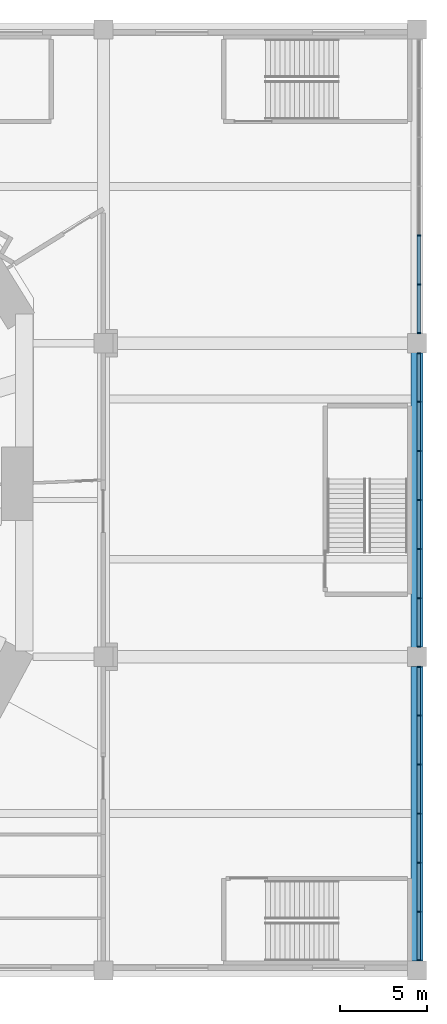
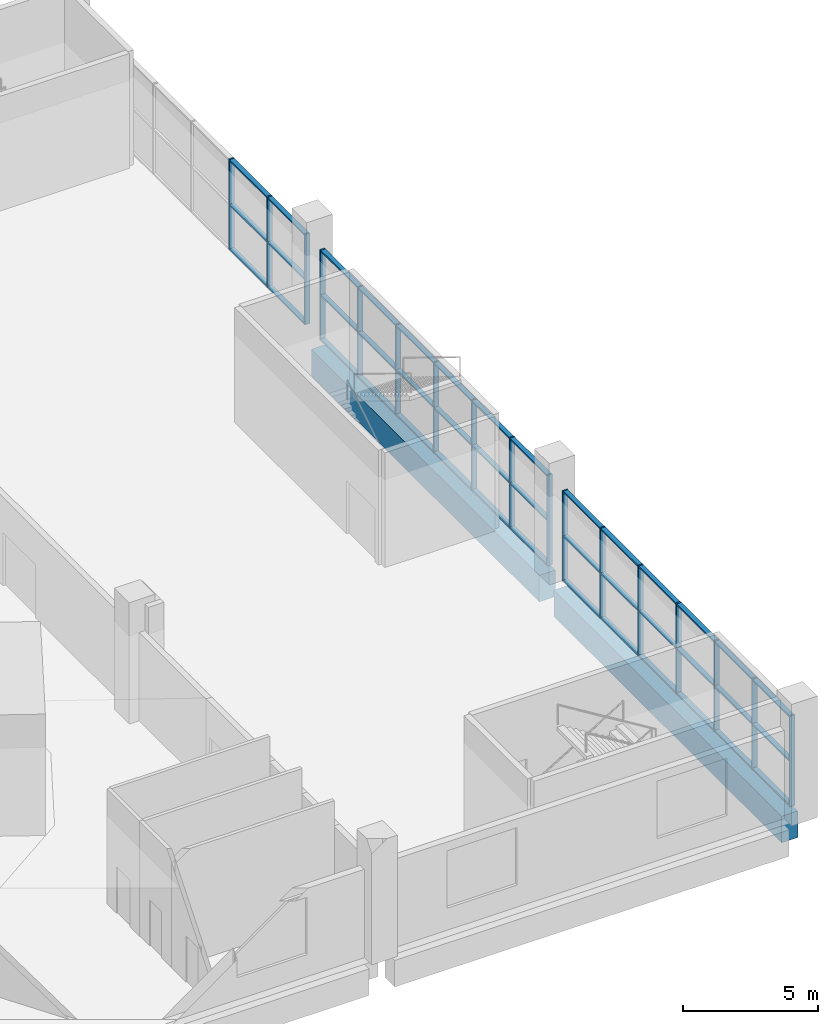
# One storey, part 2 of 16: 59 members, 2 beams, 3 elements without a shape of their own.
"""IFC4 building model written with IfcOpenShell, lengths in metres."""

from ifc_helpers import new_model, si_unit, direction, frame, origin, origin_2d, place, context, subcontext, project, spatial, rectangle, extrude, material, material_profile, profile_set, type_object, element, aggregate, save


model = new_model("IFC4")

# Units and contexts
model_context = context("Model", 3, precision=1e-05, world=origin(), true_north=direction((0.0, 1.0)))
body_context = subcontext(model_context, "Body", "Model", "MODEL_VIEW")
ifc_project = project(units=[si_unit("LENGTHUNIT", "METRE"), si_unit("AREAUNIT", "SQUARE_METRE"), si_unit("VOLUMEUNIT", "CUBIC_METRE"), si_unit("PLANEANGLEUNIT", "RADIAN"), si_unit("MASSUNIT", "GRAM", prefix="KILO")], contexts=[model_context])

# Site, building, storey
site_placement = place(None, origin())
site = spatial("IfcSite", under=ifc_project, at=site_placement, CompositionType="ELEMENT")
building_placement = place(site_placement, origin())
building = spatial("IfcBuilding", under=site, at=building_placement, Name="Vanh Sen Convention Tower", CompositionType="ELEMENT")
storey_placement = place(building_placement, frame((0.0, 0.0, 7.5)))
storey = spatial("IfcBuildingStorey", under=building, at=storey_placement, Name="L01", CompositionType="ELEMENT", Elevation=7.5)

# Curtain wall, members
ifc_material_1 = material(Name="Aluminium structural glazing system", Category="aluminium")
curtain_wall_type = type_object("IfcCurtainWallType", Name="Podium hall structural glazing", PredefinedType="NOTDEFINED", material=ifc_material_1)
curtain_wall_1_placement = place(storey_placement, origin())
curtain_wall_1 = element("IfcCurtainWall", 1, at=curtain_wall_1_placement, inside=storey, type_object=curtain_wall_type, Name="Podium hall glazing 1 L01", PredefinedType="NOTDEFINED")
ifc_material_2 = material(Name="Aluminium mullion", Category="aluminium")
ifc_material_profile_1 = material_profile(ifc_material_2, rectangle(XDim=0.219970703125, YDim=0.070068359375, at=origin_2d()), Name="Hall glazing mullion 70 x 220")
ifc_profile_set_1 = profile_set([ifc_material_profile_1], Name="Aluminium mullion")
member_type_1 = type_object("IfcMemberType", Name="Hall glazing mullion 70 x 220", PredefinedType="MULLION", material=ifc_profile_set_1)
member_1_placement = place(storey_placement, frame((45.110107421875, -26.4150390625, 0.0), z_axis=(0.0, 0.0, 1.0), x_axis=(-1.0, 0.0, 0.0)))
member_1 = element("IfcMember", 2, at=member_1_placement, type_object=member_type_1, Name="CW4 mullion 1", PredefinedType="MULLION", context=body_context, shape_type="SweptSolid", body=[
    extrude(rectangle(XDim=0.219970703125, YDim=0.070068359375, at=origin_2d()), origin(), (0.0, 0.0, 1.0), 4.10009765625),
])
member_2_placement = place(storey_placement, frame((45.110107421875, -23.63330078125, 0.0), z_axis=(0.0, 0.0, 1.0), x_axis=(-1.0, 0.0, 0.0)))
member_2 = element("IfcMember", 3, at=member_2_placement, type_object=member_type_1, Name="CW4 mullion 2", PredefinedType="MULLION", context=body_context, shape_type="SweptSolid", body=[
    extrude(rectangle(XDim=0.219970703125, YDim=0.070068359375, at=origin_2d()), origin(), (0.0, 0.0, 1.0), 4.10009765625),
])
member_3_placement = place(storey_placement, frame((45.110107421875, -20.816650390625, 0.0), z_axis=(0.0, 0.0, 1.0), x_axis=(-1.0, 0.0, 0.0)))
member_3 = element("IfcMember", 4, at=member_3_placement, type_object=member_type_1, Name="CW4 mullion 3", PredefinedType="MULLION", context=body_context, shape_type="SweptSolid", body=[
    extrude(rectangle(XDim=0.219970703125, YDim=0.070068359375, at=origin_2d()), origin(), (0.0, 0.0, 1.0), 4.10009765625),
])
member_4_placement = place(storey_placement, frame((45.110107421875, -18.0, 0.0), z_axis=(0.0, 0.0, 1.0), x_axis=(-1.0, 0.0, 0.0)))
member_4 = element("IfcMember", 5, at=member_4_placement, type_object=member_type_1, Name="CW4 mullion 4", PredefinedType="MULLION", context=body_context, shape_type="SweptSolid", body=[
    extrude(rectangle(XDim=0.219970703125, YDim=0.070068359375, at=origin_2d()), origin(), (0.0, 0.0, 1.0), 4.10009765625),
])
member_5_placement = place(storey_placement, frame((45.110107421875, -15.183349609375, 0.0), z_axis=(0.0, 0.0, 1.0), x_axis=(-1.0, 0.0, 0.0)))
member_5 = element("IfcMember", 6, at=member_5_placement, type_object=member_type_1, Name="CW4 mullion 5", PredefinedType="MULLION", context=body_context, shape_type="SweptSolid", body=[
    extrude(rectangle(XDim=0.219970703125, YDim=0.070068359375, at=origin_2d()), origin(), (0.0, 0.0, 1.0), 4.10009765625),
])
member_6_placement = place(storey_placement, frame((45.110107421875, -12.36669921875, 0.0), z_axis=(0.0, 0.0, 1.0), x_axis=(-1.0, 0.0, 0.0)))
member_6 = element("IfcMember", 7, at=member_6_placement, type_object=member_type_1, Name="CW4 mullion 6", PredefinedType="MULLION", context=body_context, shape_type="SweptSolid", body=[
    extrude(rectangle(XDim=0.219970703125, YDim=0.070068359375, at=origin_2d()), origin(), (0.0, 0.0, 1.0), 4.10009765625),
])
member_7_placement = place(storey_placement, frame((45.110107421875, -9.5849609375, 0.0), z_axis=(0.0, 0.0, 1.0), x_axis=(-1.0, 0.0, 0.0)))
member_7 = element("IfcMember", 8, at=member_7_placement, type_object=member_type_1, Name="CW4 mullion 7", PredefinedType="MULLION", context=body_context, shape_type="SweptSolid", body=[
    extrude(rectangle(XDim=0.219970703125, YDim=0.070068359375, at=origin_2d()), origin(), (0.0, 0.0, 1.0), 4.10009765625),
])

curtain_wall_2_placement = place(storey_placement, origin())
curtain_wall_2 = element("IfcCurtainWall", 9, at=curtain_wall_2_placement, inside=storey, type_object=curtain_wall_type, Name="Podium hall glazing 2 L01", PredefinedType="NOTDEFINED")
member_8_placement = place(storey_placement, frame((45.110107421875, -8.4150390625, 0.0), z_axis=(0.0, 0.0, 1.0), x_axis=(-1.0, 0.0, 0.0)))
member_8 = element("IfcMember", 10, at=member_8_placement, type_object=member_type_1, Name="CW4 mullion 1", PredefinedType="MULLION", context=body_context, shape_type="SweptSolid", body=[
    extrude(rectangle(XDim=0.219970703125, YDim=0.070068359375, at=origin_2d()), origin(), (0.0, 0.0, 1.0), 4.10009765625),
])
member_9_placement = place(storey_placement, frame((45.110107421875, -5.63330078125, 0.0), z_axis=(0.0, 0.0, 1.0), x_axis=(-1.0, 0.0, 0.0)))
member_9 = element("IfcMember", 11, at=member_9_placement, type_object=member_type_1, Name="CW4 mullion 2", PredefinedType="MULLION", context=body_context, shape_type="SweptSolid", body=[
    extrude(rectangle(XDim=0.219970703125, YDim=0.070068359375, at=origin_2d()), origin(), (0.0, 0.0, 1.0), 4.10009765625),
])
member_10_placement = place(storey_placement, frame((45.110107421875, -2.816650390625, 0.0), z_axis=(0.0, 0.0, 1.0), x_axis=(-1.0, 0.0, 0.0)))
member_10 = element("IfcMember", 12, at=member_10_placement, type_object=member_type_1, Name="CW4 mullion 3", PredefinedType="MULLION", context=body_context, shape_type="SweptSolid", body=[
    extrude(rectangle(XDim=0.219970703125, YDim=0.070068359375, at=origin_2d()), origin(), (0.0, 0.0, 1.0), 4.10009765625),
])
member_11_placement = place(storey_placement, frame((45.110107421875, 0.0, 0.0), z_axis=(0.0, 0.0, 1.0), x_axis=(-1.0, 0.0, 0.0)))
member_11 = element("IfcMember", 13, at=member_11_placement, type_object=member_type_1, Name="CW4 mullion 4", PredefinedType="MULLION", context=body_context, shape_type="SweptSolid", body=[
    extrude(rectangle(XDim=0.219970703125, YDim=0.070068359375, at=origin_2d()), origin(), (0.0, 0.0, 1.0), 4.10009765625),
])
member_12_placement = place(storey_placement, frame((45.110107421875, 2.816650390625, 0.0), z_axis=(0.0, 0.0, 1.0), x_axis=(-1.0, 0.0, 0.0)))
member_12 = element("IfcMember", 14, at=member_12_placement, type_object=member_type_1, Name="CW4 mullion 5", PredefinedType="MULLION", context=body_context, shape_type="SweptSolid", body=[
    extrude(rectangle(XDim=0.219970703125, YDim=0.070068359375, at=origin_2d()), origin(), (0.0, 0.0, 1.0), 4.10009765625),
])
member_13_placement = place(storey_placement, frame((45.110107421875, 5.63330078125, 0.0), z_axis=(0.0, 0.0, 1.0), x_axis=(-1.0, 0.0, 0.0)))
member_13 = element("IfcMember", 15, at=member_13_placement, type_object=member_type_1, Name="CW4 mullion 6", PredefinedType="MULLION", context=body_context, shape_type="SweptSolid", body=[
    extrude(rectangle(XDim=0.219970703125, YDim=0.070068359375, at=origin_2d()), origin(), (0.0, 0.0, 1.0), 4.10009765625),
])
member_14_placement = place(storey_placement, frame((45.110107421875, 8.4150390625, 0.0), z_axis=(0.0, 0.0, 1.0), x_axis=(-1.0, 0.0, 0.0)))
member_14 = element("IfcMember", 16, at=member_14_placement, type_object=member_type_1, Name="CW4 mullion 7", PredefinedType="MULLION", context=body_context, shape_type="SweptSolid", body=[
    extrude(rectangle(XDim=0.219970703125, YDim=0.070068359375, at=origin_2d()), origin(), (0.0, 0.0, 1.0), 4.10009765625),
])

curtain_wall_3_placement = place(storey_placement, origin())
curtain_wall_3 = element("IfcCurtainWall", 17, at=curtain_wall_3_placement, inside=storey, type_object=curtain_wall_type, Name="Podium hall glazing 3 L01", PredefinedType="NOTDEFINED")
member_15_placement = place(storey_placement, frame((45.110107421875, 9.5849609375, 0.0), z_axis=(0.0, 0.0, 1.0), x_axis=(-1.0, 0.0, 0.0)))
member_15 = element("IfcMember", 18, at=member_15_placement, type_object=member_type_1, Name="CW4 mullion 1", PredefinedType="MULLION", context=body_context, shape_type="SweptSolid", body=[
    extrude(rectangle(XDim=0.219970703125, YDim=0.070068359375, at=origin_2d()), origin(), (0.0, 0.0, 1.0), 4.10009765625),
])
member_16_placement = place(storey_placement, frame((45.110107421875, 12.36669921875, 0.0), z_axis=(0.0, 0.0, 1.0), x_axis=(-1.0, 0.0, 0.0)))
member_16 = element("IfcMember", 19, at=member_16_placement, type_object=member_type_1, Name="CW4 mullion 2", PredefinedType="MULLION", context=body_context, shape_type="SweptSolid", body=[
    extrude(rectangle(XDim=0.219970703125, YDim=0.070068359375, at=origin_2d()), origin(), (0.0, 0.0, 1.0), 4.10009765625),
])
member_17_placement = place(storey_placement, frame((45.110107421875, 15.183349609375, 0.0), z_axis=(0.0, 0.0, 1.0), x_axis=(-1.0, 0.0, 0.0)))
member_17 = element("IfcMember", 20, at=member_17_placement, type_object=member_type_1, Name="CW4 mullion 3", PredefinedType="MULLION", context=body_context, shape_type="SweptSolid", body=[
    extrude(rectangle(XDim=0.219970703125, YDim=0.070068359375, at=origin_2d()), origin(), (0.0, 0.0, 1.0), 4.10009765625),
])

# Member
ifc_material_3 = material(Name="Aluminium transom", Category="aluminium")
ifc_material_profile_2 = material_profile(ifc_material_3, rectangle(XDim=0.199951171875, YDim=0.070068359375, at=origin_2d()), Name="Hall glazing transom 200 x 70")
ifc_profile_set_2 = profile_set([ifc_material_profile_2], Name="Aluminium transom")
member_type_2 = type_object("IfcMemberType", Name="Hall glazing transom 200 x 70", PredefinedType="USERDEFINED", material=ifc_profile_set_2)
member_18_placement = place(storey_placement, frame((45.110107421875, -26.3798828125, 0.034912109375), z_axis=(0.0, 1.0, 0.0), x_axis=(-1.0, 0.0, 0.0)))
member_18 = element("IfcMember", 21, at=member_18_placement, type_object=member_type_2, Name="CW4 transom 1.1", ObjectType="TRANSOM", PredefinedType="USERDEFINED", context=body_context, shape_type="SweptSolid", body=[
    extrude(rectangle(XDim=0.199951171875, YDim=0.070068359375, at=origin_2d()), origin(), (0.0, 0.0, 1.0), 2.711669921875),
])

member_19_placement = place(storey_placement, frame((45.110107421875, -26.3798828125, 2.050048828125), z_axis=(0.0, 1.0, 0.0), x_axis=(-1.0, 0.0, 0.0)))
member_19 = element("IfcMember", 22, at=member_19_placement, type_object=member_type_2, Name="CW4 transom 1.2", ObjectType="TRANSOM", PredefinedType="USERDEFINED", context=body_context, shape_type="SweptSolid", body=[
    extrude(rectangle(XDim=0.199951171875, YDim=0.070068359375, at=origin_2d()), origin(), (0.0, 0.0, 1.0), 2.711669921875),
])

member_20_placement = place(storey_placement, frame((45.110107421875, -26.3798828125, 4.06494140625), z_axis=(0.0, 1.0, 0.0), x_axis=(-1.0, 0.0, 0.0)))
member_20 = element("IfcMember", 23, at=member_20_placement, type_object=member_type_2, Name="CW4 transom 1.3", ObjectType="TRANSOM", PredefinedType="USERDEFINED", context=body_context, shape_type="SweptSolid", body=[
    extrude(rectangle(XDim=0.199951171875, YDim=0.070068359375, at=origin_2d()), origin(), (0.0, 0.0, 1.0), 2.711669921875),
])

member_21_placement = place(storey_placement, frame((45.110107421875, -23.598388671875, 0.034912109375), z_axis=(0.0, 1.0, 0.0), x_axis=(-1.0, 0.0, 0.0)))
member_21 = element("IfcMember", 24, at=member_21_placement, type_object=member_type_2, Name="CW4 transom 2.1", ObjectType="TRANSOM", PredefinedType="USERDEFINED", context=body_context, shape_type="SweptSolid", body=[
    extrude(rectangle(XDim=0.199951171875, YDim=0.070068359375, at=origin_2d()), origin(), (0.0, 0.0, 1.0), 2.746826171875),
])

member_22_placement = place(storey_placement, frame((45.110107421875, -23.598388671875, 2.050048828125), z_axis=(0.0, 1.0, 0.0), x_axis=(-1.0, 0.0, 0.0)))
member_22 = element("IfcMember", 25, at=member_22_placement, type_object=member_type_2, Name="CW4 transom 2.2", ObjectType="TRANSOM", PredefinedType="USERDEFINED", context=body_context, shape_type="SweptSolid", body=[
    extrude(rectangle(XDim=0.199951171875, YDim=0.070068359375, at=origin_2d()), origin(), (0.0, 0.0, 1.0), 2.746826171875),
])

member_23_placement = place(storey_placement, frame((45.110107421875, -23.598388671875, 4.06494140625), z_axis=(0.0, 1.0, 0.0), x_axis=(-1.0, 0.0, 0.0)))
member_23 = element("IfcMember", 26, at=member_23_placement, type_object=member_type_2, Name="CW4 transom 2.3", ObjectType="TRANSOM", PredefinedType="USERDEFINED", context=body_context, shape_type="SweptSolid", body=[
    extrude(rectangle(XDim=0.199951171875, YDim=0.070068359375, at=origin_2d()), origin(), (0.0, 0.0, 1.0), 2.746826171875),
])

member_24_placement = place(storey_placement, frame((45.110107421875, -20.78173828125, 0.034912109375), z_axis=(0.0, 1.0, 0.0), x_axis=(-1.0, 0.0, 0.0)))
member_24 = element("IfcMember", 27, at=member_24_placement, type_object=member_type_2, Name="CW4 transom 3.1", ObjectType="TRANSOM", PredefinedType="USERDEFINED", context=body_context, shape_type="SweptSolid", body=[
    extrude(rectangle(XDim=0.199951171875, YDim=0.070068359375, at=origin_2d()), origin(), (0.0, 0.0, 1.0), 2.746826171875),
])

member_25_placement = place(storey_placement, frame((45.110107421875, -20.78173828125, 2.050048828125), z_axis=(0.0, 1.0, 0.0), x_axis=(-1.0, 0.0, 0.0)))
member_25 = element("IfcMember", 28, at=member_25_placement, type_object=member_type_2, Name="CW4 transom 3.2", ObjectType="TRANSOM", PredefinedType="USERDEFINED", context=body_context, shape_type="SweptSolid", body=[
    extrude(rectangle(XDim=0.199951171875, YDim=0.070068359375, at=origin_2d()), origin(), (0.0, 0.0, 1.0), 2.746826171875),
])

member_26_placement = place(storey_placement, frame((45.110107421875, -20.78173828125, 4.06494140625), z_axis=(0.0, 1.0, 0.0), x_axis=(-1.0, 0.0, 0.0)))
member_26 = element("IfcMember", 29, at=member_26_placement, type_object=member_type_2, Name="CW4 transom 3.3", ObjectType="TRANSOM", PredefinedType="USERDEFINED", context=body_context, shape_type="SweptSolid", body=[
    extrude(rectangle(XDim=0.199951171875, YDim=0.070068359375, at=origin_2d()), origin(), (0.0, 0.0, 1.0), 2.746826171875),
])

member_27_placement = place(storey_placement, frame((45.110107421875, -17.965087890625, 0.034912109375), z_axis=(0.0, 1.0, 0.0), x_axis=(-1.0, 0.0, 0.0)))
member_27 = element("IfcMember", 30, at=member_27_placement, type_object=member_type_2, Name="CW4 transom 4.1", ObjectType="TRANSOM", PredefinedType="USERDEFINED", context=body_context, shape_type="SweptSolid", body=[
    extrude(rectangle(XDim=0.199951171875, YDim=0.070068359375, at=origin_2d()), origin(), (0.0, 0.0, 1.0), 2.746826171875),
])

member_28_placement = place(storey_placement, frame((45.110107421875, -17.965087890625, 2.050048828125), z_axis=(0.0, 1.0, 0.0), x_axis=(-1.0, 0.0, 0.0)))
member_28 = element("IfcMember", 31, at=member_28_placement, type_object=member_type_2, Name="CW4 transom 4.2", ObjectType="TRANSOM", PredefinedType="USERDEFINED", context=body_context, shape_type="SweptSolid", body=[
    extrude(rectangle(XDim=0.199951171875, YDim=0.070068359375, at=origin_2d()), origin(), (0.0, 0.0, 1.0), 2.746826171875),
])

member_29_placement = place(storey_placement, frame((45.110107421875, -17.965087890625, 4.06494140625), z_axis=(0.0, 1.0, 0.0), x_axis=(-1.0, 0.0, 0.0)))
member_29 = element("IfcMember", 32, at=member_29_placement, type_object=member_type_2, Name="CW4 transom 4.3", ObjectType="TRANSOM", PredefinedType="USERDEFINED", context=body_context, shape_type="SweptSolid", body=[
    extrude(rectangle(XDim=0.199951171875, YDim=0.070068359375, at=origin_2d()), origin(), (0.0, 0.0, 1.0), 2.746826171875),
])

member_30_placement = place(storey_placement, frame((45.110107421875, -15.1484375, 0.034912109375), z_axis=(0.0, 1.0, 0.0), x_axis=(-1.0, 0.0, 0.0)))
member_30 = element("IfcMember", 33, at=member_30_placement, type_object=member_type_2, Name="CW4 transom 5.1", ObjectType="TRANSOM", PredefinedType="USERDEFINED", context=body_context, shape_type="SweptSolid", body=[
    extrude(rectangle(XDim=0.199951171875, YDim=0.070068359375, at=origin_2d()), origin(), (0.0, 0.0, 1.0), 2.746826171875),
])

member_31_placement = place(storey_placement, frame((45.110107421875, -15.1484375, 2.050048828125), z_axis=(0.0, 1.0, 0.0), x_axis=(-1.0, 0.0, 0.0)))
member_31 = element("IfcMember", 34, at=member_31_placement, type_object=member_type_2, Name="CW4 transom 5.2", ObjectType="TRANSOM", PredefinedType="USERDEFINED", context=body_context, shape_type="SweptSolid", body=[
    extrude(rectangle(XDim=0.199951171875, YDim=0.070068359375, at=origin_2d()), origin(), (0.0, 0.0, 1.0), 2.746826171875),
])

member_32_placement = place(storey_placement, frame((45.110107421875, -15.1484375, 4.06494140625), z_axis=(0.0, 1.0, 0.0), x_axis=(-1.0, 0.0, 0.0)))
member_32 = element("IfcMember", 35, at=member_32_placement, type_object=member_type_2, Name="CW4 transom 5.3", ObjectType="TRANSOM", PredefinedType="USERDEFINED", context=body_context, shape_type="SweptSolid", body=[
    extrude(rectangle(XDim=0.199951171875, YDim=0.070068359375, at=origin_2d()), origin(), (0.0, 0.0, 1.0), 2.746826171875),
])

member_33_placement = place(storey_placement, frame((45.110107421875, -12.331787109375, 0.034912109375), z_axis=(0.0, 1.0, 0.0), x_axis=(-1.0, 0.0, 0.0)))
member_33 = element("IfcMember", 36, at=member_33_placement, type_object=member_type_2, Name="CW4 transom 6.1", ObjectType="TRANSOM", PredefinedType="USERDEFINED", context=body_context, shape_type="SweptSolid", body=[
    extrude(rectangle(XDim=0.199951171875, YDim=0.070068359375, at=origin_2d()), origin(), (0.0, 0.0, 1.0), 2.711669921875),
])

member_34_placement = place(storey_placement, frame((45.110107421875, -12.331787109375, 2.050048828125), z_axis=(0.0, 1.0, 0.0), x_axis=(-1.0, 0.0, 0.0)))
member_34 = element("IfcMember", 37, at=member_34_placement, type_object=member_type_2, Name="CW4 transom 6.2", ObjectType="TRANSOM", PredefinedType="USERDEFINED", context=body_context, shape_type="SweptSolid", body=[
    extrude(rectangle(XDim=0.199951171875, YDim=0.070068359375, at=origin_2d()), origin(), (0.0, 0.0, 1.0), 2.711669921875),
])

member_35_placement = place(storey_placement, frame((45.110107421875, -12.331787109375, 4.06494140625), z_axis=(0.0, 1.0, 0.0), x_axis=(-1.0, 0.0, 0.0)))
member_35 = element("IfcMember", 38, at=member_35_placement, type_object=member_type_2, Name="CW4 transom 6.3", ObjectType="TRANSOM", PredefinedType="USERDEFINED", context=body_context, shape_type="SweptSolid", body=[
    extrude(rectangle(XDim=0.199951171875, YDim=0.070068359375, at=origin_2d()), origin(), (0.0, 0.0, 1.0), 2.711669921875),
])

aggregate(curtain_wall_1, [member_1, member_2, member_3, member_4, member_5, member_6, member_7, member_18, member_19, member_20, member_21, member_22, member_23, member_24, member_25, member_26, member_27, member_28, member_29, member_30, member_31, member_32, member_33, member_34, member_35])

member_36_placement = place(storey_placement, frame((45.110107421875, -8.3798828125, 0.034912109375), z_axis=(0.0, 1.0, 0.0), x_axis=(-1.0, 0.0, 0.0)))
member_36 = element("IfcMember", 39, at=member_36_placement, type_object=member_type_2, Name="CW4 transom 1.1", ObjectType="TRANSOM", PredefinedType="USERDEFINED", context=body_context, shape_type="SweptSolid", body=[
    extrude(rectangle(XDim=0.199951171875, YDim=0.070068359375, at=origin_2d()), origin(), (0.0, 0.0, 1.0), 2.711669921875),
])

member_37_placement = place(storey_placement, frame((45.110107421875, -8.3798828125, 2.050048828125), z_axis=(0.0, 1.0, 0.0), x_axis=(-1.0, 0.0, 0.0)))
member_37 = element("IfcMember", 40, at=member_37_placement, type_object=member_type_2, Name="CW4 transom 1.2", ObjectType="TRANSOM", PredefinedType="USERDEFINED", context=body_context, shape_type="SweptSolid", body=[
    extrude(rectangle(XDim=0.199951171875, YDim=0.070068359375, at=origin_2d()), origin(), (0.0, 0.0, 1.0), 2.711669921875),
])

member_38_placement = place(storey_placement, frame((45.110107421875, -8.3798828125, 4.06494140625), z_axis=(0.0, 1.0, 0.0), x_axis=(-1.0, 0.0, 0.0)))
member_38 = element("IfcMember", 41, at=member_38_placement, type_object=member_type_2, Name="CW4 transom 1.3", ObjectType="TRANSOM", PredefinedType="USERDEFINED", context=body_context, shape_type="SweptSolid", body=[
    extrude(rectangle(XDim=0.199951171875, YDim=0.070068359375, at=origin_2d()), origin(), (0.0, 0.0, 1.0), 2.711669921875),
])

member_39_placement = place(storey_placement, frame((45.110107421875, -5.598388671875, 0.034912109375), z_axis=(0.0, 1.0, 0.0), x_axis=(-1.0, 0.0, 0.0)))
member_39 = element("IfcMember", 42, at=member_39_placement, type_object=member_type_2, Name="CW4 transom 2.1", ObjectType="TRANSOM", PredefinedType="USERDEFINED", context=body_context, shape_type="SweptSolid", body=[
    extrude(rectangle(XDim=0.199951171875, YDim=0.070068359375, at=origin_2d()), origin(), (0.0, 0.0, 1.0), 2.746826171875),
])

member_40_placement = place(storey_placement, frame((45.110107421875, -5.598388671875, 2.050048828125), z_axis=(0.0, 1.0, 0.0), x_axis=(-1.0, 0.0, 0.0)))
member_40 = element("IfcMember", 43, at=member_40_placement, type_object=member_type_2, Name="CW4 transom 2.2", ObjectType="TRANSOM", PredefinedType="USERDEFINED", context=body_context, shape_type="SweptSolid", body=[
    extrude(rectangle(XDim=0.199951171875, YDim=0.070068359375, at=origin_2d()), origin(), (0.0, 0.0, 1.0), 2.746826171875),
])

member_41_placement = place(storey_placement, frame((45.110107421875, -5.598388671875, 4.06494140625), z_axis=(0.0, 1.0, 0.0), x_axis=(-1.0, 0.0, 0.0)))
member_41 = element("IfcMember", 44, at=member_41_placement, type_object=member_type_2, Name="CW4 transom 2.3", ObjectType="TRANSOM", PredefinedType="USERDEFINED", context=body_context, shape_type="SweptSolid", body=[
    extrude(rectangle(XDim=0.199951171875, YDim=0.070068359375, at=origin_2d()), origin(), (0.0, 0.0, 1.0), 2.746826171875),
])

member_42_placement = place(storey_placement, frame((45.110107421875, -2.78173828125, 0.034912109375), z_axis=(0.0, 1.0, 0.0), x_axis=(-1.0, 0.0, 0.0)))
member_42 = element("IfcMember", 45, at=member_42_placement, type_object=member_type_2, Name="CW4 transom 3.1", ObjectType="TRANSOM", PredefinedType="USERDEFINED", context=body_context, shape_type="SweptSolid", body=[
    extrude(rectangle(XDim=0.199951171875, YDim=0.070068359375, at=origin_2d()), origin(), (0.0, 0.0, 1.0), 2.746826171875),
])

member_43_placement = place(storey_placement, frame((45.110107421875, -2.78173828125, 2.050048828125), z_axis=(0.0, 1.0, 0.0), x_axis=(-1.0, 0.0, 0.0)))
member_43 = element("IfcMember", 46, at=member_43_placement, type_object=member_type_2, Name="CW4 transom 3.2", ObjectType="TRANSOM", PredefinedType="USERDEFINED", context=body_context, shape_type="SweptSolid", body=[
    extrude(rectangle(XDim=0.199951171875, YDim=0.070068359375, at=origin_2d()), origin(), (0.0, 0.0, 1.0), 2.746826171875),
])

member_44_placement = place(storey_placement, frame((45.110107421875, -2.78173828125, 4.06494140625), z_axis=(0.0, 1.0, 0.0), x_axis=(-1.0, 0.0, 0.0)))
member_44 = element("IfcMember", 47, at=member_44_placement, type_object=member_type_2, Name="CW4 transom 3.3", ObjectType="TRANSOM", PredefinedType="USERDEFINED", context=body_context, shape_type="SweptSolid", body=[
    extrude(rectangle(XDim=0.199951171875, YDim=0.070068359375, at=origin_2d()), origin(), (0.0, 0.0, 1.0), 2.746826171875),
])

member_45_placement = place(storey_placement, frame((45.110107421875, 0.034912109375, 0.034912109375), z_axis=(0.0, 1.0, 0.0), x_axis=(-1.0, 0.0, 0.0)))
member_45 = element("IfcMember", 48, at=member_45_placement, type_object=member_type_2, Name="CW4 transom 4.1", ObjectType="TRANSOM", PredefinedType="USERDEFINED", context=body_context, shape_type="SweptSolid", body=[
    extrude(rectangle(XDim=0.199951171875, YDim=0.070068359375, at=origin_2d()), origin(), (0.0, 0.0, 1.0), 2.746826171875),
])

member_46_placement = place(storey_placement, frame((45.110107421875, 0.034912109375, 2.050048828125), z_axis=(0.0, 1.0, 0.0), x_axis=(-1.0, 0.0, 0.0)))
member_46 = element("IfcMember", 49, at=member_46_placement, type_object=member_type_2, Name="CW4 transom 4.2", ObjectType="TRANSOM", PredefinedType="USERDEFINED", context=body_context, shape_type="SweptSolid", body=[
    extrude(rectangle(XDim=0.199951171875, YDim=0.070068359375, at=origin_2d()), origin(), (0.0, 0.0, 1.0), 2.746826171875),
])

member_47_placement = place(storey_placement, frame((45.110107421875, 0.034912109375, 4.06494140625), z_axis=(0.0, 1.0, 0.0), x_axis=(-1.0, 0.0, 0.0)))
member_47 = element("IfcMember", 50, at=member_47_placement, type_object=member_type_2, Name="CW4 transom 4.3", ObjectType="TRANSOM", PredefinedType="USERDEFINED", context=body_context, shape_type="SweptSolid", body=[
    extrude(rectangle(XDim=0.199951171875, YDim=0.070068359375, at=origin_2d()), origin(), (0.0, 0.0, 1.0), 2.746826171875),
])

member_48_placement = place(storey_placement, frame((45.110107421875, 2.8515625, 0.034912109375), z_axis=(0.0, 1.0, 0.0), x_axis=(-1.0, 0.0, 0.0)))
member_48 = element("IfcMember", 51, at=member_48_placement, type_object=member_type_2, Name="CW4 transom 5.1", ObjectType="TRANSOM", PredefinedType="USERDEFINED", context=body_context, shape_type="SweptSolid", body=[
    extrude(rectangle(XDim=0.199951171875, YDim=0.070068359375, at=origin_2d()), origin(), (0.0, 0.0, 1.0), 2.746826171875),
])

member_49_placement = place(storey_placement, frame((45.110107421875, 2.8515625, 2.050048828125), z_axis=(0.0, 1.0, 0.0), x_axis=(-1.0, 0.0, 0.0)))
member_49 = element("IfcMember", 52, at=member_49_placement, type_object=member_type_2, Name="CW4 transom 5.2", ObjectType="TRANSOM", PredefinedType="USERDEFINED", context=body_context, shape_type="SweptSolid", body=[
    extrude(rectangle(XDim=0.199951171875, YDim=0.070068359375, at=origin_2d()), origin(), (0.0, 0.0, 1.0), 2.746826171875),
])

member_50_placement = place(storey_placement, frame((45.110107421875, 2.8515625, 4.06494140625), z_axis=(0.0, 1.0, 0.0), x_axis=(-1.0, 0.0, 0.0)))
member_50 = element("IfcMember", 53, at=member_50_placement, type_object=member_type_2, Name="CW4 transom 5.3", ObjectType="TRANSOM", PredefinedType="USERDEFINED", context=body_context, shape_type="SweptSolid", body=[
    extrude(rectangle(XDim=0.199951171875, YDim=0.070068359375, at=origin_2d()), origin(), (0.0, 0.0, 1.0), 2.746826171875),
])

member_51_placement = place(storey_placement, frame((45.110107421875, 5.668212890625, 0.034912109375), z_axis=(0.0, 1.0, 0.0), x_axis=(-1.0, 0.0, 0.0)))
member_51 = element("IfcMember", 54, at=member_51_placement, type_object=member_type_2, Name="CW4 transom 6.1", ObjectType="TRANSOM", PredefinedType="USERDEFINED", context=body_context, shape_type="SweptSolid", body=[
    extrude(rectangle(XDim=0.199951171875, YDim=0.070068359375, at=origin_2d()), origin(), (0.0, 0.0, 1.0), 2.711669921875),
])

member_52_placement = place(storey_placement, frame((45.110107421875, 5.668212890625, 2.050048828125), z_axis=(0.0, 1.0, 0.0), x_axis=(-1.0, 0.0, 0.0)))
member_52 = element("IfcMember", 55, at=member_52_placement, type_object=member_type_2, Name="CW4 transom 6.2", ObjectType="TRANSOM", PredefinedType="USERDEFINED", context=body_context, shape_type="SweptSolid", body=[
    extrude(rectangle(XDim=0.199951171875, YDim=0.070068359375, at=origin_2d()), origin(), (0.0, 0.0, 1.0), 2.711669921875),
])

member_53_placement = place(storey_placement, frame((45.110107421875, 5.668212890625, 4.06494140625), z_axis=(0.0, 1.0, 0.0), x_axis=(-1.0, 0.0, 0.0)))
member_53 = element("IfcMember", 56, at=member_53_placement, type_object=member_type_2, Name="CW4 transom 6.3", ObjectType="TRANSOM", PredefinedType="USERDEFINED", context=body_context, shape_type="SweptSolid", body=[
    extrude(rectangle(XDim=0.199951171875, YDim=0.070068359375, at=origin_2d()), origin(), (0.0, 0.0, 1.0), 2.711669921875),
])

aggregate(curtain_wall_2, [member_8, member_9, member_10, member_11, member_12, member_13, member_14, member_36, member_37, member_38, member_39, member_40, member_41, member_42, member_43, member_44, member_45, member_46, member_47, member_48, member_49, member_50, member_51, member_52, member_53])

member_54_placement = place(storey_placement, frame((45.110107421875, 9.6201171875, 0.034912109375), z_axis=(0.0, 1.0, 0.0), x_axis=(-1.0, 0.0, 0.0)))
member_54 = element("IfcMember", 57, at=member_54_placement, type_object=member_type_2, Name="CW4 transom 1.1", ObjectType="TRANSOM", PredefinedType="USERDEFINED", context=body_context, shape_type="SweptSolid", body=[
    extrude(rectangle(XDim=0.199951171875, YDim=0.070068359375, at=origin_2d()), origin(), (0.0, 0.0, 1.0), 2.711669921875),
])

member_55_placement = place(storey_placement, frame((45.110107421875, 9.6201171875, 2.050048828125), z_axis=(0.0, 1.0, 0.0), x_axis=(-1.0, 0.0, 0.0)))
member_55 = element("IfcMember", 58, at=member_55_placement, type_object=member_type_2, Name="CW4 transom 1.2", ObjectType="TRANSOM", PredefinedType="USERDEFINED", context=body_context, shape_type="SweptSolid", body=[
    extrude(rectangle(XDim=0.199951171875, YDim=0.070068359375, at=origin_2d()), origin(), (0.0, 0.0, 1.0), 2.711669921875),
])

member_56_placement = place(storey_placement, frame((45.110107421875, 9.6201171875, 4.06494140625), z_axis=(0.0, 1.0, 0.0), x_axis=(-1.0, 0.0, 0.0)))
member_56 = element("IfcMember", 59, at=member_56_placement, type_object=member_type_2, Name="CW4 transom 1.3", ObjectType="TRANSOM", PredefinedType="USERDEFINED", context=body_context, shape_type="SweptSolid", body=[
    extrude(rectangle(XDim=0.199951171875, YDim=0.070068359375, at=origin_2d()), origin(), (0.0, 0.0, 1.0), 2.711669921875),
])

member_57_placement = place(storey_placement, frame((45.110107421875, 12.401611328125, 0.034912109375), z_axis=(0.0, 1.0, 0.0), x_axis=(-1.0, 0.0, 0.0)))
member_57 = element("IfcMember", 60, at=member_57_placement, type_object=member_type_2, Name="CW4 transom 2.1", ObjectType="TRANSOM", PredefinedType="USERDEFINED", context=body_context, shape_type="SweptSolid", body=[
    extrude(rectangle(XDim=0.199951171875, YDim=0.070068359375, at=origin_2d()), origin(), (0.0, 0.0, 1.0), 2.746826171875),
])

member_58_placement = place(storey_placement, frame((45.110107421875, 12.401611328125, 2.050048828125), z_axis=(0.0, 1.0, 0.0), x_axis=(-1.0, 0.0, 0.0)))
member_58 = element("IfcMember", 61, at=member_58_placement, type_object=member_type_2, Name="CW4 transom 2.2", ObjectType="TRANSOM", PredefinedType="USERDEFINED", context=body_context, shape_type="SweptSolid", body=[
    extrude(rectangle(XDim=0.199951171875, YDim=0.070068359375, at=origin_2d()), origin(), (0.0, 0.0, 1.0), 2.746826171875),
])

member_59_placement = place(storey_placement, frame((45.110107421875, 12.401611328125, 4.06494140625), z_axis=(0.0, 1.0, 0.0), x_axis=(-1.0, 0.0, 0.0)))
member_59 = element("IfcMember", 62, at=member_59_placement, type_object=member_type_2, Name="CW4 transom 2.3", ObjectType="TRANSOM", PredefinedType="USERDEFINED", context=body_context, shape_type="SweptSolid", body=[
    extrude(rectangle(XDim=0.199951171875, YDim=0.070068359375, at=origin_2d()), origin(), (0.0, 0.0, 1.0), 2.746826171875),
])

aggregate(curtain_wall_3, [member_15, member_16, member_17, member_54, member_55, member_56, member_57, member_58, member_59])

# Beams
ifc_material_4 = material(Name="Concrete C50/60", Category="concrete")
ifc_material_profile_3 = material_profile(ifc_material_4, rectangle(XDim=0.699951171875, YDim=1.199951171875, at=origin_2d()), Name="RC 700X1200")
ifc_profile_set_3 = profile_set([ifc_material_profile_3], Name="Concrete C50/60")
beam_type = type_object("IfcBeamType", Name="Podium girder 700 x 1200", PredefinedType="BEAM", material=ifc_profile_set_3)
for number, where, z_axis, x_axis, name in (
    (63, (45.0, -26.455078125, -0.89990234375), (0.0, 1.0, 0.0), (-1.0, 0.0, 0.0), "Podium girder 11 L01"),
    (64, (45.0, -8.455078125, -0.89990234375), (0.0, 1.0, 0.0), (-1.0, 0.0, 0.0), "Podium girder 12 L01"),
):
    element("IfcBeam", number, at=place(storey_placement, frame(where, z_axis=z_axis, x_axis=x_axis)), inside=storey, type_object=beam_type, Name=name, PredefinedType="BEAM", context=body_context, shape_type="SweptSolid", body=[
        extrude(rectangle(XDim=0.699951171875, YDim=1.199951171875, at=origin_2d()), origin(), (0.0, 0.0, 1.0), 16.91015625),
    ])

save(model, "model.ifc")
